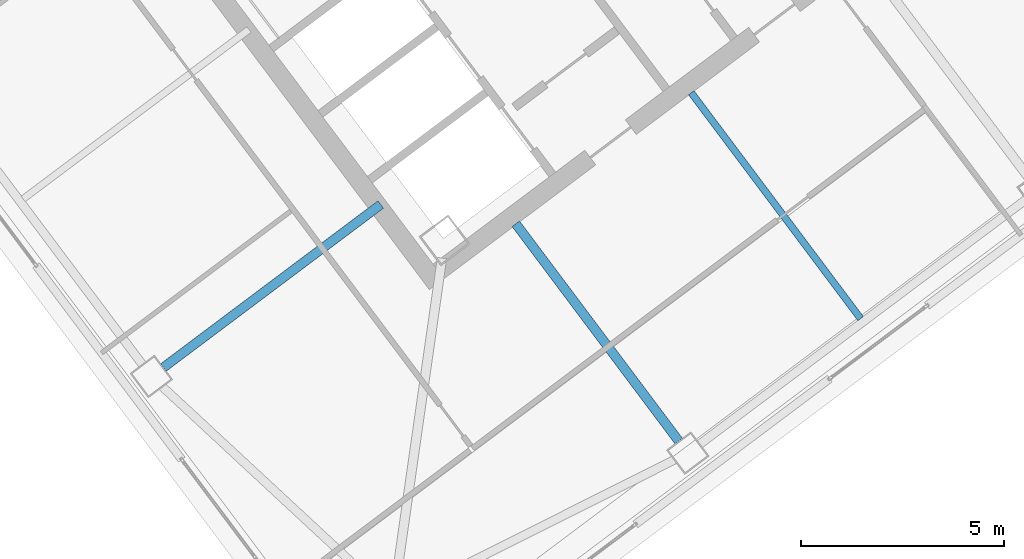
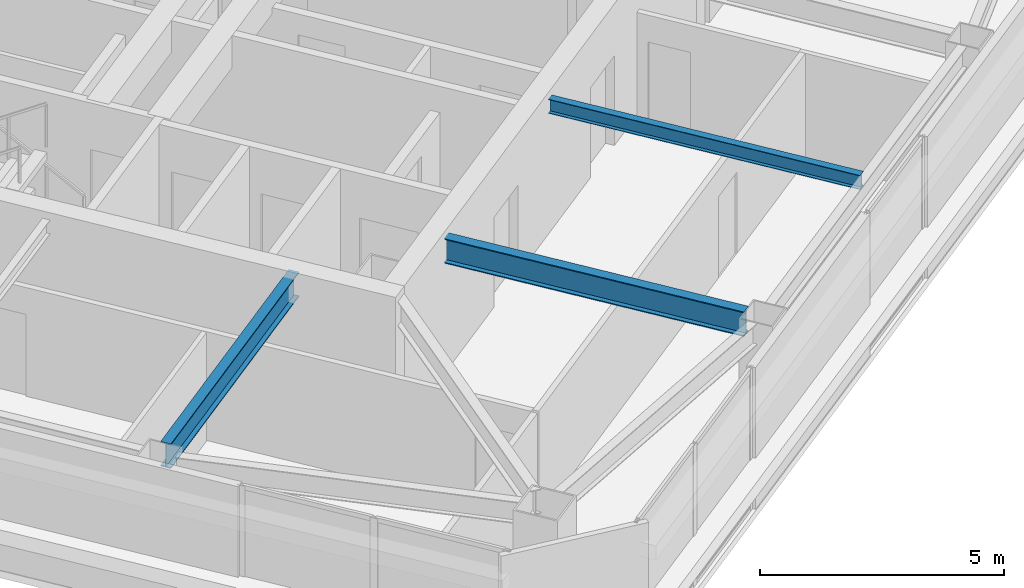
# One storey, part 21 of 44: 3 beams.
"""IFC4 building model written with IfcOpenShell, lengths in metres."""

from ifc_helpers import new_model, si_unit, direction, frame, origin, origin_2d, place, context, subcontext, project, spatial, i_section, extrude, material, material_profile, profile_set, type_object, element, save


model = new_model("IFC4")

# Units and contexts
model_context = context("Model", 3, precision=1e-05, world=origin(), true_north=direction((0.0, 1.0)))
body_context = subcontext(model_context, "Body", "Model", "MODEL_VIEW")
ifc_project = project(units=[si_unit("LENGTHUNIT", "METRE"), si_unit("AREAUNIT", "SQUARE_METRE"), si_unit("VOLUMEUNIT", "CUBIC_METRE"), si_unit("PLANEANGLEUNIT", "RADIAN"), si_unit("MASSUNIT", "GRAM", prefix="KILO")], contexts=[model_context])

# Site, building, storey
site_placement = place(None, origin())
site = spatial("IfcSite", under=ifc_project, at=site_placement, CompositionType="ELEMENT")
building_placement = place(site_placement, origin())
building = spatial("IfcBuilding", under=site, at=building_placement, Name="Tashvorn Skyway Center", CompositionType="ELEMENT")
storey_placement = place(building_placement, frame((0.0, 0.0, 211.300048828125)))
storey = spatial("IfcBuildingStorey", under=building, at=storey_placement, Name="L57", CompositionType="ELEMENT", Elevation=211.300048828125)

# Beams
ifc_material = material(Name="Steel ASTM A992 Grade 50", Category="steel")
ifc_material_profile_1 = material_profile(ifc_material, i_section(OverallWidth=0.22998046875, OverallDepth=0.616943359375, WebThickness=0.01318359375, FlangeThickness=0.022216796875, at=origin_2d()), Name="W24X94")
ifc_profile_set_1 = profile_set([ifc_material_profile_1], Name="Steel ASTM A992 Grade 50")
beam_type_1 = type_object("IfcBeamType", Name="BM-BEAM-W24X94", PredefinedType="BEAM", material=ifc_profile_set_1)
beam_1_placement = place(storey_placement, frame((118.367919921875, 17.176025390625, 3.0615234375), z_axis=(-0.600011660554, 0.799991254452, 0.0), x_axis=(-0.799991254452, -0.600011660554, 0.0)))
element("IfcBeam", 1, at=beam_1_placement, inside=storey, type_object=beam_type_1, Name="Tower 2 L57 Primary Floor Girder FC-S1", PredefinedType="BEAM", context=body_context, shape_type="SweptSolid", body=[
    extrude(i_section(OverallWidth=0.22998046875, OverallDepth=0.616943359375, WebThickness=0.01318359375, FlangeThickness=0.022216796875, at=origin_2d()), origin(), (0.0, 0.0, 1.0), 6.699951171875),
])
beam_2_placement = place(storey_placement, frame((105.656005859375, 18.991943359375, 3.0615234375), z_axis=(0.800004372583, 0.599994169845, 0.0), x_axis=(-0.599994169845, 0.800004372583, 0.0)))
element("IfcBeam", 2, at=beam_2_placement, inside=storey, type_object=beam_type_1, Name="Tower 2 L57 Primary Floor Girder FC-W2", PredefinedType="BEAM", context=body_context, shape_type="SweptSolid", body=[
    extrude(i_section(OverallWidth=0.22998046875, OverallDepth=0.616943359375, WebThickness=0.01318359375, FlangeThickness=0.022216796875, at=origin_2d()), origin(), (0.0, 0.0, 1.0), 6.7001953125),
])
ifc_material_profile_2 = material_profile(ifc_material, i_section(OverallWidth=0.1708984375, OverallDepth=0.35498046875, WebThickness=0.007080078125, FlangeThickness=0.01171875, at=origin_2d()), Name="W14X34")
ifc_profile_set_2 = profile_set([ifc_material_profile_2], Name="Steel ASTM A992 Grade 50")
beam_type_2 = type_object("IfcBeamType", Name="BM-JOIST-W14X34", PredefinedType="JOIST", material=ifc_profile_set_2)
beam_3_placement = place(storey_placement, frame((118.674072265625, 25.76806640625, 3.1923828125), z_axis=(0.599994389612, -0.800004207761, 0.0), x_axis=(0.800004207761, 0.599994389612, 0.0)))
element("IfcBeam", 3, at=beam_3_placement, inside=storey, type_object=beam_type_2, Name="Tower 2 L57 Secondary Composite Joist JS", PredefinedType="JOIST", context=body_context, shape_type="SweptSolid", body=[
    extrude(i_section(OverallWidth=0.1708984375, OverallDepth=0.35498046875, WebThickness=0.007080078125, FlangeThickness=0.01171875, at=origin_2d()), origin(), (0.0, 0.0, 1.0), 6.962646484375),
])

save(model, "model.ifc")
